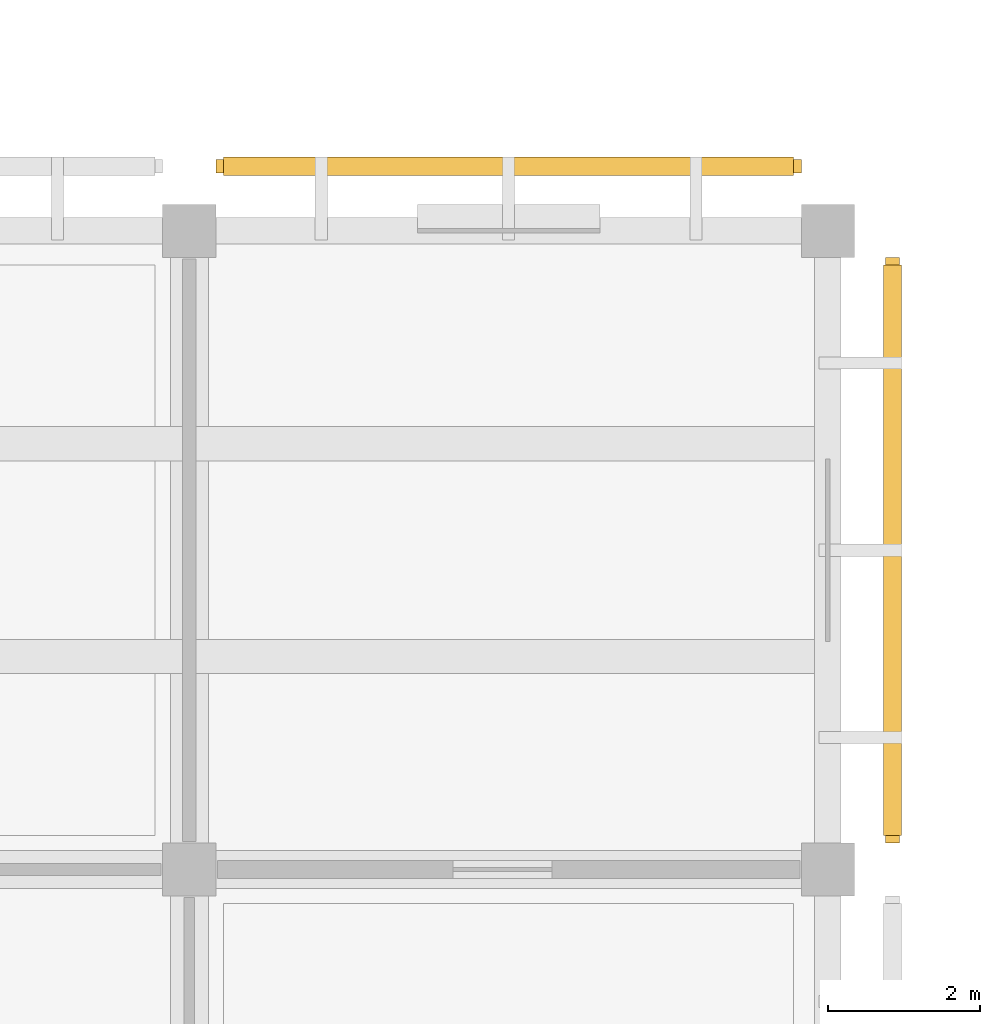
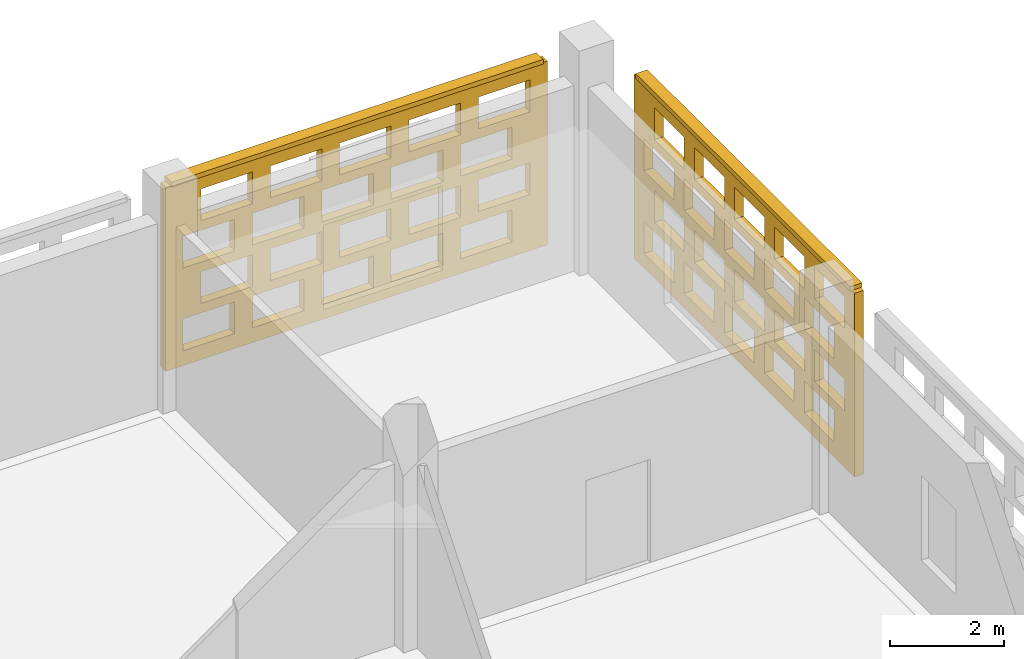
# One storey, part 129 of 129: 2 coverings, 2 shading devices, 40 openings.
"""IFC4 building model written with IfcOpenShell, lengths in metres."""

from ifc_helpers import new_model, si_unit, direction, frame, frame_2d, origin, origin_2d, place, context, subcontext, project, spatial, rectangle, extrude, material, layer, layer_set, type_object, element, save


model = new_model("IFC4")

# Units and contexts
model_context = context("Model", 3, precision=1e-05, world=origin(), true_north=direction((0.0, 1.0)))
body_context = subcontext(model_context, "Body", "Model", "MODEL_VIEW")
ifc_project = project(units=[si_unit("LENGTHUNIT", "METRE"), si_unit("AREAUNIT", "SQUARE_METRE"), si_unit("VOLUMEUNIT", "CUBIC_METRE"), si_unit("PLANEANGLEUNIT", "RADIAN"), si_unit("MASSUNIT", "GRAM", prefix="KILO")], contexts=[model_context])

# Site, building, storey
site_placement = place(None, origin())
site = spatial("IfcSite", under=ifc_project, at=site_placement, CompositionType="ELEMENT")
building_placement = place(site_placement, origin())
building = spatial("IfcBuilding", under=site, at=building_placement, Name="Varnapada Polytechnic", CompositionType="ELEMENT")
storey_placement = place(building_placement, origin())
storey = spatial("IfcBuildingStorey", under=building, at=storey_placement, Name="L00", CompositionType="ELEMENT", Elevation=0.0)

# Covering, openings
ifc_material = material(Name="Earth-toned architectural terracotta screen block", Category="masonry")
ifc_layer_1 = layer(ifc_material, 0.1201171875)
ifc_layer_set_1 = layer_set([ifc_layer_1], Name="Earth-toned architectural terracotta screen block")
covering_type = type_object("IfcCoveringType", Name="Terracotta Screen Cladding CLD-01", PredefinedType="CLADDING", material=ifc_layer_set_1)
covering_1_placement = place(storey_placement, frame((168.35009765625, 118.449951171875, 0.0), z_axis=(0.0, 0.0, 1.0), x_axis=(1.0, 0.0, 0.0)))
covering_1 = element("IfcCovering", 1, at=covering_1_placement, inside=storey, type_object=covering_type, Name="L00 perforated terracotta block screen (112)", PredefinedType="CLADDING", context=body_context, shape_type="SweptSolid", body=[
    extrude(rectangle(XDim=7.699951171875, YDim=0.179931640625, at=frame_2d((3.85009765625, 0.0))), origin(), (0.0, 0.0, 1.0), 3.919921875),
])
opening_1_placement = place(covering_1_placement, frame((0.35009765625, 0.0, 0.313720703125)))
element("IfcOpeningElement", 2, at=opening_1_placement, cuts=covering_1, Name="Screen perforation TBS-L00-111.1", PredefinedType="OPENING", context=body_context, shape_type="SweptSolid", body=[
    extrude(rectangle(XDim=1.0400390625, YDim=0.679931640625, at=frame_2d((0.52001953125, 0.33984375))), frame((0.0, 0.099853515625, 0.0), z_axis=(0.0, -1.0, 0.0), x_axis=(1.0, 0.0, 0.0)), (0.0, 0.0, 1.0), 0.199951171875),
])
opening_2_placement = place(covering_1_placement, frame((1.75, 0.0, 0.313720703125)))
element("IfcOpeningElement", 3, at=opening_2_placement, cuts=covering_1, Name="Screen perforation TBS-L00-111.2", PredefinedType="OPENING", context=body_context, shape_type="SweptSolid", body=[
    extrude(rectangle(XDim=1.0400390625, YDim=0.679931640625, at=frame_2d((0.52001953125, 0.33984375))), frame((0.0, 0.099853515625, 0.0), z_axis=(0.0, -1.0, 0.0), x_axis=(1.0, 0.0, 0.0)), (0.0, 0.0, 1.0), 0.199951171875),
])
opening_3_placement = place(covering_1_placement, frame((3.14990234375, 0.0, 0.313720703125)))
element("IfcOpeningElement", 4, at=opening_3_placement, cuts=covering_1, Name="Screen perforation TBS-L00-111.3", PredefinedType="OPENING", context=body_context, shape_type="SweptSolid", body=[
    extrude(rectangle(XDim=1.0400390625, YDim=0.679931640625, at=frame_2d((0.52001953125, 0.33984375))), frame((0.0, 0.099853515625, 0.0), z_axis=(0.0, -1.0, 0.0), x_axis=(1.0, 0.0, 0.0)), (0.0, 0.0, 1.0), 0.199951171875),
])
opening_4_placement = place(covering_1_placement, frame((4.550048828125, 0.0, 0.313720703125)))
element("IfcOpeningElement", 5, at=opening_4_placement, cuts=covering_1, Name="Screen perforation TBS-L00-111.4", PredefinedType="OPENING", context=body_context, shape_type="SweptSolid", body=[
    extrude(rectangle(XDim=1.0400390625, YDim=0.679931640625, at=frame_2d((0.52001953125, 0.33984375))), frame((0.0, 0.099853515625, 0.0), z_axis=(0.0, -1.0, 0.0), x_axis=(1.0, 0.0, 0.0)), (0.0, 0.0, 1.0), 0.199951171875),
])
opening_5_placement = place(covering_1_placement, frame((5.949951171875, 0.0, 0.313720703125)))
element("IfcOpeningElement", 6, at=opening_5_placement, cuts=covering_1, Name="Screen perforation TBS-L00-111.5", PredefinedType="OPENING", context=body_context, shape_type="SweptSolid", body=[
    extrude(rectangle(XDim=1.0400390625, YDim=0.679931640625, at=frame_2d((0.52001953125, 0.33984375))), frame((0.0, 0.099853515625, 0.0), z_axis=(0.0, -1.0, 0.0), x_axis=(1.0, 0.0, 0.0)), (0.0, 0.0, 1.0), 0.199951171875),
])
opening_6_placement = place(covering_1_placement, frame((0.7099609375, 0.0, 1.195556640625)))
element("IfcOpeningElement", 7, at=opening_6_placement, cuts=covering_1, Name="Screen perforation TBS-L00-111.6", PredefinedType="OPENING", context=body_context, shape_type="SweptSolid", body=[
    extrude(rectangle(XDim=1.0400390625, YDim=0.679931640625, at=frame_2d((0.52001953125, 0.33984375))), frame((0.0, 0.099853515625, 0.0), z_axis=(0.0, -1.0, 0.0), x_axis=(1.0, 0.0, 0.0)), (0.0, 0.0, 1.0), 0.199951171875),
])
opening_7_placement = place(covering_1_placement, frame((2.110107421875, 0.0, 1.195556640625)))
element("IfcOpeningElement", 8, at=opening_7_placement, cuts=covering_1, Name="Screen perforation TBS-L00-111.7", PredefinedType="OPENING", context=body_context, shape_type="SweptSolid", body=[
    extrude(rectangle(XDim=1.0400390625, YDim=0.679931640625, at=frame_2d((0.52001953125, 0.33984375))), frame((0.0, 0.099853515625, 0.0), z_axis=(0.0, -1.0, 0.0), x_axis=(1.0, 0.0, 0.0)), (0.0, 0.0, 1.0), 0.199951171875),
])
opening_8_placement = place(covering_1_placement, frame((3.510009765625, 0.0, 1.195556640625)))
element("IfcOpeningElement", 9, at=opening_8_placement, cuts=covering_1, Name="Screen perforation TBS-L00-111.8", PredefinedType="OPENING", context=body_context, shape_type="SweptSolid", body=[
    extrude(rectangle(XDim=1.0400390625, YDim=0.679931640625, at=frame_2d((0.52001953125, 0.33984375))), frame((0.0, 0.099853515625, 0.0), z_axis=(0.0, -1.0, 0.0), x_axis=(1.0, 0.0, 0.0)), (0.0, 0.0, 1.0), 0.199951171875),
])
opening_9_placement = place(covering_1_placement, frame((4.909912109375, 0.0, 1.195556640625)))
element("IfcOpeningElement", 10, at=opening_9_placement, cuts=covering_1, Name="Screen perforation TBS-L00-111.9", PredefinedType="OPENING", context=body_context, shape_type="SweptSolid", body=[
    extrude(rectangle(XDim=1.0400390625, YDim=0.679931640625, at=frame_2d((0.52001953125, 0.33984375))), frame((0.0, 0.099853515625, 0.0), z_axis=(0.0, -1.0, 0.0), x_axis=(1.0, 0.0, 0.0)), (0.0, 0.0, 1.0), 0.199951171875),
])
opening_10_placement = place(covering_1_placement, frame((6.31005859375, 0.0, 1.195556640625)))
element("IfcOpeningElement", 11, at=opening_10_placement, cuts=covering_1, Name="Screen perforation TBS-L00-111.10", PredefinedType="OPENING", context=body_context, shape_type="SweptSolid", body=[
    extrude(rectangle(XDim=1.0400390625, YDim=0.679931640625, at=frame_2d((0.52001953125, 0.33984375))), frame((0.0, 0.099853515625, 0.0), z_axis=(0.0, -1.0, 0.0), x_axis=(1.0, 0.0, 0.0)), (0.0, 0.0, 1.0), 0.199951171875),
])
opening_11_placement = place(covering_1_placement, frame((0.35009765625, 0.0, 2.07763671875)))
element("IfcOpeningElement", 12, at=opening_11_placement, cuts=covering_1, Name="Screen perforation TBS-L00-111.11", PredefinedType="OPENING", context=body_context, shape_type="SweptSolid", body=[
    extrude(rectangle(XDim=1.0400390625, YDim=0.679931640625, at=frame_2d((0.52001953125, 0.33984375))), frame((0.0, 0.099853515625, 0.0), z_axis=(0.0, -1.0, 0.0), x_axis=(1.0, 0.0, 0.0)), (0.0, 0.0, 1.0), 0.199951171875),
])
opening_12_placement = place(covering_1_placement, frame((1.75, 0.0, 2.07763671875)))
element("IfcOpeningElement", 13, at=opening_12_placement, cuts=covering_1, Name="Screen perforation TBS-L00-111.12", PredefinedType="OPENING", context=body_context, shape_type="SweptSolid", body=[
    extrude(rectangle(XDim=1.0400390625, YDim=0.679931640625, at=frame_2d((0.52001953125, 0.33984375))), frame((0.0, 0.099853515625, 0.0), z_axis=(0.0, -1.0, 0.0), x_axis=(1.0, 0.0, 0.0)), (0.0, 0.0, 1.0), 0.199951171875),
])
opening_13_placement = place(covering_1_placement, frame((3.14990234375, 0.0, 2.07763671875)))
element("IfcOpeningElement", 14, at=opening_13_placement, cuts=covering_1, Name="Screen perforation TBS-L00-111.13", PredefinedType="OPENING", context=body_context, shape_type="SweptSolid", body=[
    extrude(rectangle(XDim=1.0400390625, YDim=0.679931640625, at=frame_2d((0.52001953125, 0.33984375))), frame((0.0, 0.099853515625, 0.0), z_axis=(0.0, -1.0, 0.0), x_axis=(1.0, 0.0, 0.0)), (0.0, 0.0, 1.0), 0.199951171875),
])
opening_14_placement = place(covering_1_placement, frame((4.550048828125, 0.0, 2.07763671875)))
element("IfcOpeningElement", 15, at=opening_14_placement, cuts=covering_1, Name="Screen perforation TBS-L00-111.14", PredefinedType="OPENING", context=body_context, shape_type="SweptSolid", body=[
    extrude(rectangle(XDim=1.0400390625, YDim=0.679931640625, at=frame_2d((0.52001953125, 0.33984375))), frame((0.0, 0.099853515625, 0.0), z_axis=(0.0, -1.0, 0.0), x_axis=(1.0, 0.0, 0.0)), (0.0, 0.0, 1.0), 0.199951171875),
])
opening_15_placement = place(covering_1_placement, frame((5.949951171875, 0.0, 2.07763671875)))
element("IfcOpeningElement", 16, at=opening_15_placement, cuts=covering_1, Name="Screen perforation TBS-L00-111.15", PredefinedType="OPENING", context=body_context, shape_type="SweptSolid", body=[
    extrude(rectangle(XDim=1.0400390625, YDim=0.679931640625, at=frame_2d((0.52001953125, 0.33984375))), frame((0.0, 0.099853515625, 0.0), z_axis=(0.0, -1.0, 0.0), x_axis=(1.0, 0.0, 0.0)), (0.0, 0.0, 1.0), 0.199951171875),
])
opening_16_placement = place(covering_1_placement, frame((0.7099609375, 0.0, 2.959716796875)))
element("IfcOpeningElement", 17, at=opening_16_placement, cuts=covering_1, Name="Screen perforation TBS-L00-111.16", PredefinedType="OPENING", context=body_context, shape_type="SweptSolid", body=[
    extrude(rectangle(XDim=1.0400390625, YDim=0.679931640625, at=frame_2d((0.52001953125, 0.33984375))), frame((0.0, 0.099853515625, 0.0), z_axis=(0.0, -1.0, 0.0), x_axis=(1.0, 0.0, 0.0)), (0.0, 0.0, 1.0), 0.199951171875),
])
opening_17_placement = place(covering_1_placement, frame((2.110107421875, 0.0, 2.959716796875)))
element("IfcOpeningElement", 18, at=opening_17_placement, cuts=covering_1, Name="Screen perforation TBS-L00-111.17", PredefinedType="OPENING", context=body_context, shape_type="SweptSolid", body=[
    extrude(rectangle(XDim=1.0400390625, YDim=0.679931640625, at=frame_2d((0.52001953125, 0.33984375))), frame((0.0, 0.099853515625, 0.0), z_axis=(0.0, -1.0, 0.0), x_axis=(1.0, 0.0, 0.0)), (0.0, 0.0, 1.0), 0.199951171875),
])
opening_18_placement = place(covering_1_placement, frame((3.510009765625, 0.0, 2.959716796875)))
element("IfcOpeningElement", 19, at=opening_18_placement, cuts=covering_1, Name="Screen perforation TBS-L00-111.18", PredefinedType="OPENING", context=body_context, shape_type="SweptSolid", body=[
    extrude(rectangle(XDim=1.0400390625, YDim=0.679931640625, at=frame_2d((0.52001953125, 0.33984375))), frame((0.0, 0.099853515625, 0.0), z_axis=(0.0, -1.0, 0.0), x_axis=(1.0, 0.0, 0.0)), (0.0, 0.0, 1.0), 0.199951171875),
])
opening_19_placement = place(covering_1_placement, frame((4.909912109375, 0.0, 2.959716796875)))
element("IfcOpeningElement", 20, at=opening_19_placement, cuts=covering_1, Name="Screen perforation TBS-L00-111.19", PredefinedType="OPENING", context=body_context, shape_type="SweptSolid", body=[
    extrude(rectangle(XDim=1.0400390625, YDim=0.679931640625, at=frame_2d((0.52001953125, 0.33984375))), frame((0.0, 0.099853515625, 0.0), z_axis=(0.0, -1.0, 0.0), x_axis=(1.0, 0.0, 0.0)), (0.0, 0.0, 1.0), 0.199951171875),
])
opening_20_placement = place(covering_1_placement, frame((6.31005859375, 0.0, 2.959716796875)))
element("IfcOpeningElement", 21, at=opening_20_placement, cuts=covering_1, Name="Screen perforation TBS-L00-111.20", PredefinedType="OPENING", context=body_context, shape_type="SweptSolid", body=[
    extrude(rectangle(XDim=1.0400390625, YDim=0.679931640625, at=frame_2d((0.52001953125, 0.33984375))), frame((0.0, 0.099853515625, 0.0), z_axis=(0.0, -1.0, 0.0), x_axis=(1.0, 0.0, 0.0)), (0.0, 0.0, 1.0), 0.199951171875),
])

covering_2_placement = place(storey_placement, frame((177.25, 117.25, 0.0), z_axis=(0.0, 0.0, 1.0), x_axis=(0.0, -1.0, 0.0)))
covering_2 = element("IfcCovering", 22, at=covering_2_placement, inside=storey, type_object=covering_type, Name="L00 perforated terracotta block screen (113)", PredefinedType="CLADDING", context=body_context, shape_type="SweptSolid", body=[
    extrude(rectangle(XDim=7.699951171875, YDim=0.179931640625, at=frame_2d((3.85009765625, 0.0))), origin(), (0.0, 0.0, 1.0), 3.919921875),
])
opening_21_placement = place(covering_2_placement, frame((0.35009765625, 0.0, 0.313720703125)))
element("IfcOpeningElement", 23, at=opening_21_placement, cuts=covering_2, Name="Screen perforation TBS-L00-112.1", PredefinedType="OPENING", context=body_context, shape_type="SweptSolid", body=[
    extrude(rectangle(XDim=1.0400390625, YDim=0.679931640625, at=frame_2d((0.52001953125, 0.33984375))), frame((0.0, 0.099853515625, 0.0), z_axis=(0.0, -1.0, 0.0), x_axis=(1.0, 0.0, 0.0)), (0.0, 0.0, 1.0), 0.199951171875),
])
opening_22_placement = place(covering_2_placement, frame((1.75, 0.0, 0.313720703125)))
element("IfcOpeningElement", 24, at=opening_22_placement, cuts=covering_2, Name="Screen perforation TBS-L00-112.2", PredefinedType="OPENING", context=body_context, shape_type="SweptSolid", body=[
    extrude(rectangle(XDim=1.0400390625, YDim=0.679931640625, at=frame_2d((0.52001953125, 0.33984375))), frame((0.0, 0.099853515625, 0.0), z_axis=(0.0, -1.0, 0.0), x_axis=(1.0, 0.0, 0.0)), (0.0, 0.0, 1.0), 0.199951171875),
])
opening_23_placement = place(covering_2_placement, frame((3.14990234375, 0.0, 0.313720703125)))
element("IfcOpeningElement", 25, at=opening_23_placement, cuts=covering_2, Name="Screen perforation TBS-L00-112.3", PredefinedType="OPENING", context=body_context, shape_type="SweptSolid", body=[
    extrude(rectangle(XDim=1.0400390625, YDim=0.679931640625, at=frame_2d((0.52001953125, 0.33984375))), frame((0.0, 0.099853515625, 0.0), z_axis=(0.0, -1.0, 0.0), x_axis=(1.0, 0.0, 0.0)), (0.0, 0.0, 1.0), 0.199951171875),
])
opening_24_placement = place(covering_2_placement, frame((4.550048828125, 0.0, 0.313720703125)))
element("IfcOpeningElement", 26, at=opening_24_placement, cuts=covering_2, Name="Screen perforation TBS-L00-112.4", PredefinedType="OPENING", context=body_context, shape_type="SweptSolid", body=[
    extrude(rectangle(XDim=1.0400390625, YDim=0.679931640625, at=frame_2d((0.52001953125, 0.33984375))), frame((0.0, 0.099853515625, 0.0), z_axis=(0.0, -1.0, 0.0), x_axis=(1.0, 0.0, 0.0)), (0.0, 0.0, 1.0), 0.199951171875),
])
opening_25_placement = place(covering_2_placement, frame((5.949951171875, 0.0, 0.313720703125)))
element("IfcOpeningElement", 27, at=opening_25_placement, cuts=covering_2, Name="Screen perforation TBS-L00-112.5", PredefinedType="OPENING", context=body_context, shape_type="SweptSolid", body=[
    extrude(rectangle(XDim=1.0400390625, YDim=0.679931640625, at=frame_2d((0.52001953125, 0.33984375))), frame((0.0, 0.099853515625, 0.0), z_axis=(0.0, -1.0, 0.0), x_axis=(1.0, 0.0, 0.0)), (0.0, 0.0, 1.0), 0.199951171875),
])
opening_26_placement = place(covering_2_placement, frame((0.7099609375, 0.0, 1.195556640625)))
element("IfcOpeningElement", 28, at=opening_26_placement, cuts=covering_2, Name="Screen perforation TBS-L00-112.6", PredefinedType="OPENING", context=body_context, shape_type="SweptSolid", body=[
    extrude(rectangle(XDim=1.0400390625, YDim=0.679931640625, at=frame_2d((0.52001953125, 0.33984375))), frame((0.0, 0.099853515625, 0.0), z_axis=(0.0, -1.0, 0.0), x_axis=(1.0, 0.0, 0.0)), (0.0, 0.0, 1.0), 0.199951171875),
])
opening_27_placement = place(covering_2_placement, frame((2.110107421875, 0.0, 1.195556640625)))
element("IfcOpeningElement", 29, at=opening_27_placement, cuts=covering_2, Name="Screen perforation TBS-L00-112.7", PredefinedType="OPENING", context=body_context, shape_type="SweptSolid", body=[
    extrude(rectangle(XDim=1.0400390625, YDim=0.679931640625, at=frame_2d((0.52001953125, 0.33984375))), frame((0.0, 0.099853515625, 0.0), z_axis=(0.0, -1.0, 0.0), x_axis=(1.0, 0.0, 0.0)), (0.0, 0.0, 1.0), 0.199951171875),
])
opening_28_placement = place(covering_2_placement, frame((3.510009765625, 0.0, 1.195556640625)))
element("IfcOpeningElement", 30, at=opening_28_placement, cuts=covering_2, Name="Screen perforation TBS-L00-112.8", PredefinedType="OPENING", context=body_context, shape_type="SweptSolid", body=[
    extrude(rectangle(XDim=1.0400390625, YDim=0.679931640625, at=frame_2d((0.52001953125, 0.33984375))), frame((0.0, 0.099853515625, 0.0), z_axis=(0.0, -1.0, 0.0), x_axis=(1.0, 0.0, 0.0)), (0.0, 0.0, 1.0), 0.199951171875),
])
opening_29_placement = place(covering_2_placement, frame((4.909912109375, 0.0, 1.195556640625)))
element("IfcOpeningElement", 31, at=opening_29_placement, cuts=covering_2, Name="Screen perforation TBS-L00-112.9", PredefinedType="OPENING", context=body_context, shape_type="SweptSolid", body=[
    extrude(rectangle(XDim=1.0400390625, YDim=0.679931640625, at=frame_2d((0.52001953125, 0.33984375))), frame((0.0, 0.099853515625, 0.0), z_axis=(0.0, -1.0, 0.0), x_axis=(1.0, 0.0, 0.0)), (0.0, 0.0, 1.0), 0.199951171875),
])
opening_30_placement = place(covering_2_placement, frame((6.31005859375, 0.0, 1.195556640625)))
element("IfcOpeningElement", 32, at=opening_30_placement, cuts=covering_2, Name="Screen perforation TBS-L00-112.10", PredefinedType="OPENING", context=body_context, shape_type="SweptSolid", body=[
    extrude(rectangle(XDim=1.0400390625, YDim=0.679931640625, at=frame_2d((0.52001953125, 0.33984375))), frame((0.0, 0.099853515625, 0.0), z_axis=(0.0, -1.0, 0.0), x_axis=(1.0, 0.0, 0.0)), (0.0, 0.0, 1.0), 0.199951171875),
])
opening_31_placement = place(covering_2_placement, frame((0.35009765625, 0.0, 2.07763671875)))
element("IfcOpeningElement", 33, at=opening_31_placement, cuts=covering_2, Name="Screen perforation TBS-L00-112.11", PredefinedType="OPENING", context=body_context, shape_type="SweptSolid", body=[
    extrude(rectangle(XDim=1.0400390625, YDim=0.679931640625, at=frame_2d((0.52001953125, 0.33984375))), frame((0.0, 0.099853515625, 0.0), z_axis=(0.0, -1.0, 0.0), x_axis=(1.0, 0.0, 0.0)), (0.0, 0.0, 1.0), 0.199951171875),
])
opening_32_placement = place(covering_2_placement, frame((1.75, 0.0, 2.07763671875)))
element("IfcOpeningElement", 34, at=opening_32_placement, cuts=covering_2, Name="Screen perforation TBS-L00-112.12", PredefinedType="OPENING", context=body_context, shape_type="SweptSolid", body=[
    extrude(rectangle(XDim=1.0400390625, YDim=0.679931640625, at=frame_2d((0.52001953125, 0.33984375))), frame((0.0, 0.099853515625, 0.0), z_axis=(0.0, -1.0, 0.0), x_axis=(1.0, 0.0, 0.0)), (0.0, 0.0, 1.0), 0.199951171875),
])
opening_33_placement = place(covering_2_placement, frame((3.14990234375, 0.0, 2.07763671875)))
element("IfcOpeningElement", 35, at=opening_33_placement, cuts=covering_2, Name="Screen perforation TBS-L00-112.13", PredefinedType="OPENING", context=body_context, shape_type="SweptSolid", body=[
    extrude(rectangle(XDim=1.0400390625, YDim=0.679931640625, at=frame_2d((0.52001953125, 0.33984375))), frame((0.0, 0.099853515625, 0.0), z_axis=(0.0, -1.0, 0.0), x_axis=(1.0, 0.0, 0.0)), (0.0, 0.0, 1.0), 0.199951171875),
])
opening_34_placement = place(covering_2_placement, frame((4.550048828125, 0.0, 2.07763671875)))
element("IfcOpeningElement", 36, at=opening_34_placement, cuts=covering_2, Name="Screen perforation TBS-L00-112.14", PredefinedType="OPENING", context=body_context, shape_type="SweptSolid", body=[
    extrude(rectangle(XDim=1.0400390625, YDim=0.679931640625, at=frame_2d((0.52001953125, 0.33984375))), frame((0.0, 0.099853515625, 0.0), z_axis=(0.0, -1.0, 0.0), x_axis=(1.0, 0.0, 0.0)), (0.0, 0.0, 1.0), 0.199951171875),
])
opening_35_placement = place(covering_2_placement, frame((5.949951171875, 0.0, 2.07763671875)))
element("IfcOpeningElement", 37, at=opening_35_placement, cuts=covering_2, Name="Screen perforation TBS-L00-112.15", PredefinedType="OPENING", context=body_context, shape_type="SweptSolid", body=[
    extrude(rectangle(XDim=1.0400390625, YDim=0.679931640625, at=frame_2d((0.52001953125, 0.33984375))), frame((0.0, 0.099853515625, 0.0), z_axis=(0.0, -1.0, 0.0), x_axis=(1.0, 0.0, 0.0)), (0.0, 0.0, 1.0), 0.199951171875),
])
opening_36_placement = place(covering_2_placement, frame((0.7099609375, 0.0, 2.959716796875)))
element("IfcOpeningElement", 38, at=opening_36_placement, cuts=covering_2, Name="Screen perforation TBS-L00-112.16", PredefinedType="OPENING", context=body_context, shape_type="SweptSolid", body=[
    extrude(rectangle(XDim=1.0400390625, YDim=0.679931640625, at=frame_2d((0.52001953125, 0.33984375))), frame((0.0, 0.099853515625, 0.0), z_axis=(0.0, -1.0, 0.0), x_axis=(1.0, 0.0, 0.0)), (0.0, 0.0, 1.0), 0.199951171875),
])
opening_37_placement = place(covering_2_placement, frame((2.110107421875, 0.0, 2.959716796875)))
element("IfcOpeningElement", 39, at=opening_37_placement, cuts=covering_2, Name="Screen perforation TBS-L00-112.17", PredefinedType="OPENING", context=body_context, shape_type="SweptSolid", body=[
    extrude(rectangle(XDim=1.0400390625, YDim=0.679931640625, at=frame_2d((0.52001953125, 0.33984375))), frame((0.0, 0.099853515625, 0.0), z_axis=(0.0, -1.0, 0.0), x_axis=(1.0, 0.0, 0.0)), (0.0, 0.0, 1.0), 0.199951171875),
])
opening_38_placement = place(covering_2_placement, frame((3.510009765625, 0.0, 2.959716796875)))
element("IfcOpeningElement", 40, at=opening_38_placement, cuts=covering_2, Name="Screen perforation TBS-L00-112.18", PredefinedType="OPENING", context=body_context, shape_type="SweptSolid", body=[
    extrude(rectangle(XDim=1.0400390625, YDim=0.679931640625, at=frame_2d((0.52001953125, 0.33984375))), frame((0.0, 0.099853515625, 0.0), z_axis=(0.0, -1.0, 0.0), x_axis=(1.0, 0.0, 0.0)), (0.0, 0.0, 1.0), 0.199951171875),
])
opening_39_placement = place(covering_2_placement, frame((4.909912109375, 0.0, 2.959716796875)))
element("IfcOpeningElement", 41, at=opening_39_placement, cuts=covering_2, Name="Screen perforation TBS-L00-112.19", PredefinedType="OPENING", context=body_context, shape_type="SweptSolid", body=[
    extrude(rectangle(XDim=1.0400390625, YDim=0.679931640625, at=frame_2d((0.52001953125, 0.33984375))), frame((0.0, 0.099853515625, 0.0), z_axis=(0.0, -1.0, 0.0), x_axis=(1.0, 0.0, 0.0)), (0.0, 0.0, 1.0), 0.199951171875),
])
opening_40_placement = place(covering_2_placement, frame((6.31005859375, 0.0, 2.959716796875)))
element("IfcOpeningElement", 42, at=opening_40_placement, cuts=covering_2, Name="Screen perforation TBS-L00-112.20", PredefinedType="OPENING", context=body_context, shape_type="SweptSolid", body=[
    extrude(rectangle(XDim=1.0400390625, YDim=0.679931640625, at=frame_2d((0.52001953125, 0.33984375))), frame((0.0, 0.099853515625, 0.0), z_axis=(0.0, -1.0, 0.0), x_axis=(1.0, 0.0, 0.0)), (0.0, 0.0, 1.0), 0.199951171875),
])

# Shading devices
ifc_layer_2 = layer(ifc_material, 0.179931640625)
ifc_layer_set_2 = layer_set([ifc_layer_2], Name="Earth-toned architectural terracotta screen block")
shading_device_type = type_object("IfcShadingDeviceType", Name="Terracotta Screen SCR-02", PredefinedType="USERDEFINED", material=ifc_layer_set_2)
for number, where, z_axis, x_axis, name in (
    (43, (172.199951171875, 118.449951171875, 3.909912109375), (0.0, 0.0, 1.0), (1.0, 0.0, 0.0), "L00 perforated terracotta screen hood 82"),
    (44, (177.25, 113.39990234375, 3.909912109375), (0.0, 0.0, 1.0), (0.0, -1.0, 0.0), "L00 perforated terracotta screen hood 83"),
):
    element("IfcShadingDevice", number, at=place(storey_placement, frame(where, z_axis=z_axis, x_axis=x_axis)), inside=storey, type_object=shading_device_type, Name=name, ObjectType="SCREEN", PredefinedType="USERDEFINED", context=body_context, shape_type="SweptSolid", body=[
        extrude(rectangle(XDim=7.5, YDim=0.239990234375, at=origin_2d()), origin(), (0.0, 0.0, 1.0), 0.10009765625),
    ])

save(model, "model.ifc")
